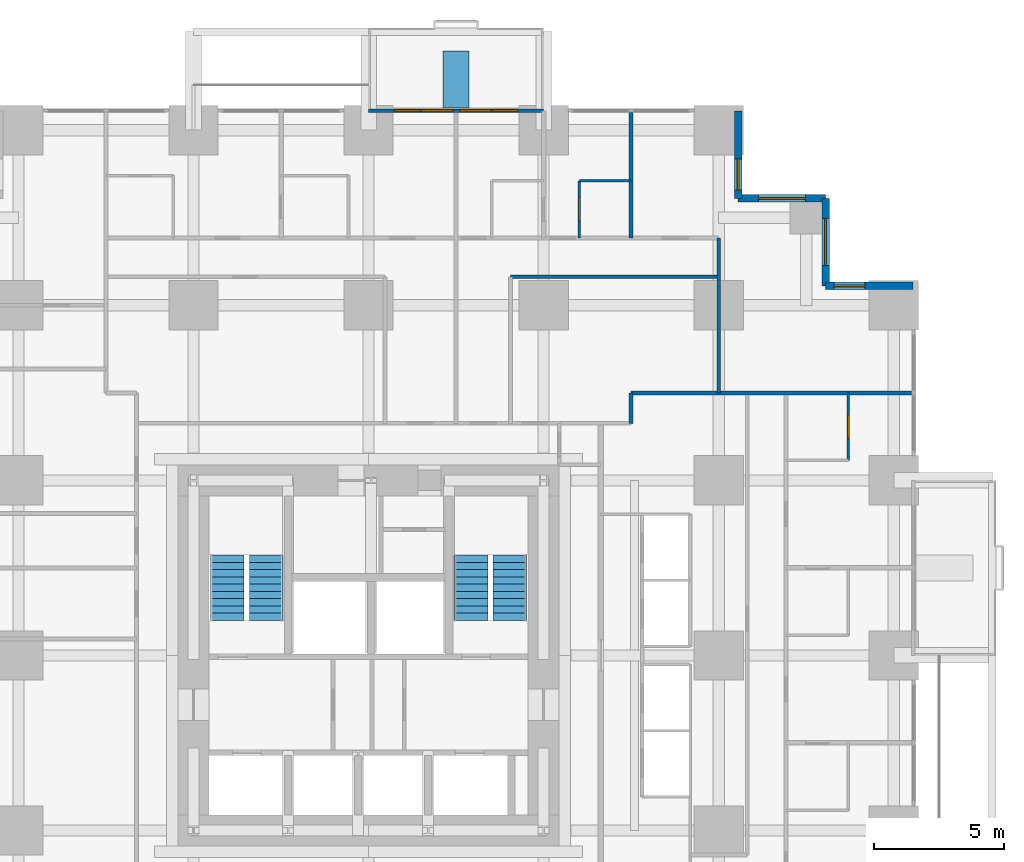
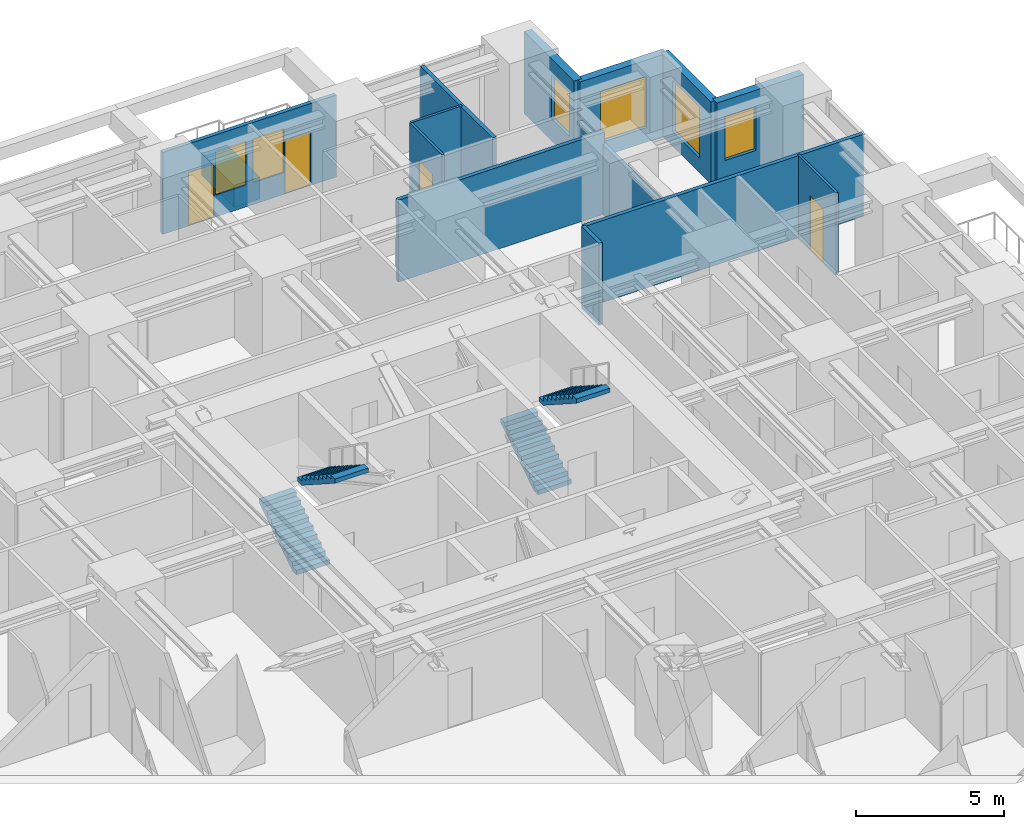
# One storey, part 13 of 14: 14 walls, 6 windows, 4 doors, 4 stair flights, 10 openings, 2 elements without a shape of their own.
"""IFC4 building model written with IfcOpenShell, lengths in metres."""

from ifc_helpers import new_model, si_unit, direction, frame, frame_2d, origin, place, context, subcontext, project, spatial, polyline, rectangle, outline, extrude, material, layer, layer_set, type_object, element, fill, aggregate, save


model = new_model("IFC4")

# Units and contexts
model_context = context("Model", 3, precision=1e-05, world=origin(), true_north=direction((0.0, 1.0)))
body_context = subcontext(model_context, "Body", "Model", "MODEL_VIEW")
ifc_project = project(units=[si_unit("LENGTHUNIT", "METRE"), si_unit("AREAUNIT", "SQUARE_METRE"), si_unit("VOLUMEUNIT", "CUBIC_METRE"), si_unit("PLANEANGLEUNIT", "RADIAN"), si_unit("MASSUNIT", "GRAM", prefix="KILO")], contexts=[model_context])

# Site, building, storey
site_placement = place(None, origin())
site = spatial("IfcSite", under=ifc_project, at=site_placement, CompositionType="ELEMENT")
building_placement = place(site_placement, origin())
building = spatial("IfcBuilding", under=site, at=building_placement, Name="Nyansa Garden Tower", CompositionType="ELEMENT")
storey_placement = place(building_placement, frame((0.0, 0.0, 43.199951171875)))
storey = spatial("IfcBuildingStorey", under=building, at=storey_placement, Name="L11", CompositionType="ELEMENT", Elevation=43.199951171875)

# Wall, openings, doors, windows
ifc_material_1 = material(Name="Black aluminium framed glazed screen", Category="aluminium")
ifc_layer_1 = layer(ifc_material_1, 0.14990234375)
ifc_layer_set_1 = layer_set([ifc_layer_1], Name="Balcony screen wall BW150")
wall_type_1 = type_object("IfcWallType", Name="Balcony screen wall BW150", PredefinedType="SOLIDWALL", material=ifc_layer_set_1)
wall_1_placement = place(storey_placement, frame((20.25, 41.25, 0.0), z_axis=(0.0, 0.0, 1.0), x_axis=(1.0, 0.0, 0.0)))
wall_1 = element("IfcWall", 1, at=wall_1_placement, inside=storey, type_object=wall_type_1, Name="Glazed screen wall L11 N", PredefinedType="SOLIDWALL", context=body_context, shape_type="SweptSolid", body=[
    extrude(rectangle(XDim=6.75, YDim=0.14990234375, at=frame_2d((3.375, 0.0))), origin(), (0.0, 0.0, 1.0), 3.375),
])
opening_1_placement = place(wall_1_placement, frame((0.995849609375, 0.0, 0.0)))
opening_1 = element("IfcOpeningElement", 2, at=opening_1_placement, cuts=wall_1, Name="Opening D20", PredefinedType="OPENING", context=body_context, shape_type="SweptSolid", body=[
    extrude(rectangle(XDim=1.0, YDim=2.199951171875, at=frame_2d((0.5, 1.10009765625))), frame((0.0, 0.0849609375, 0.0), z_axis=(0.0, -1.0, 0.0), x_axis=(1.0, 0.0, 0.0)), (0.0, 0.0, 1.0), 0.169921875),
])
opening_2_placement = place(wall_1_placement, frame((2.041748046875, 0.0, 0.89990234375)))
opening_2 = element("IfcOpeningElement", 3, at=opening_2_placement, cuts=wall_1, Name="Opening W6", PredefinedType="OPENING", context=body_context, shape_type="SweptSolid", body=[
    extrude(rectangle(XDim=1.199951171875, YDim=1.800048828125, at=frame_2d((0.60009765625, 0.89990234375))), frame((0.0, 0.0849609375, 0.0), z_axis=(0.0, -1.0, 0.0), x_axis=(1.0, 0.0, 0.0)), (0.0, 0.0, 1.0), 0.169921875),
])
opening_3_placement = place(wall_1_placement, frame((4.754150390625, 0.0, 0.0)))
opening_3 = element("IfcOpeningElement", 4, at=opening_3_placement, cuts=wall_1, Name="Opening D20", PredefinedType="OPENING", context=body_context, shape_type="SweptSolid", body=[
    extrude(rectangle(XDim=1.0, YDim=2.199951171875, at=frame_2d((0.5, 1.10009765625))), frame((0.0, 0.0849609375, 0.0), z_axis=(0.0, -1.0, 0.0), x_axis=(1.0, 0.0, 0.0)), (0.0, 0.0, 1.0), 0.169921875),
])
opening_4_placement = place(wall_1_placement, frame((3.50830078125, 0.0, 0.89990234375)))
opening_4 = element("IfcOpeningElement", 5, at=opening_4_placement, cuts=wall_1, Name="Opening W6", PredefinedType="OPENING", context=body_context, shape_type="SweptSolid", body=[
    extrude(rectangle(XDim=1.199951171875, YDim=1.800048828125, at=frame_2d((0.60009765625, 0.89990234375))), frame((0.0, 0.0849609375, 0.0), z_axis=(0.0, -1.0, 0.0), x_axis=(1.0, 0.0, 0.0)), (0.0, 0.0, 1.0), 0.169921875),
])
ifc_material_2 = material(Name="Black aluminium framed glazed door", Category="aluminium")
door_type_1 = type_object("IfcDoorType", Name="Balcony door D20 1000x2200", OperationType="NOTDEFINED", PredefinedType="DOOR", material=ifc_material_2)
door_1_placement = place(opening_1_placement, origin())
door_1 = element("IfcDoor", 6, at=door_1_placement, inside=storey, type_object=door_type_1, Name="Balcony door L11", OperationType="SINGLE_SWING_LEFT", OverallHeight=2.199951171875, OverallWidth=1.0, PredefinedType="DOOR", context=body_context, shape_type="SweptSolid", body=[
    extrude(rectangle(XDim=1.0, YDim=2.199951171875, at=frame_2d((0.5, 1.10009765625))), frame((0.0, 0.02490234375, 0.0), z_axis=(0.0, -1.0, 0.0), x_axis=(1.0, 0.0, 0.0)), (0.0, 0.0, 1.0), 0.050048828125),
])
fill(opening_1, door_1)
door_2_placement = place(opening_3_placement, origin())
door_2 = element("IfcDoor", 7, at=door_2_placement, inside=storey, type_object=door_type_1, Name="Balcony door L11", OperationType="SINGLE_SWING_RIGHT", OverallHeight=2.199951171875, OverallWidth=1.0, PredefinedType="DOOR", context=body_context, shape_type="SweptSolid", body=[
    extrude(rectangle(XDim=1.0, YDim=2.199951171875, at=frame_2d((0.5, 1.10009765625))), frame((0.0, 0.02490234375, 0.0), z_axis=(0.0, -1.0, 0.0), x_axis=(1.0, 0.0, 0.0)), (0.0, 0.0, 1.0), 0.050048828125),
])
fill(opening_3, door_2)
ifc_material_3 = material(Name="Black aluminium frame, dark tinted double glazing", Category="aluminium")
window_type_1 = type_object("IfcWindowType", Name="Balcony window W6 1200x1800", PartitioningType="SINGLE_PANEL", PredefinedType="WINDOW", material=ifc_material_3)
window_1_placement = place(opening_2_placement, origin())
window_1 = element("IfcWindow", 8, at=window_1_placement, inside=storey, type_object=window_type_1, Name="Window L11", OverallHeight=1.800048828125, OverallWidth=1.199951171875, PartitioningType="SINGLE_PANEL", PredefinedType="WINDOW", context=body_context, shape_type="SweptSolid", body=[
    extrude(rectangle(XDim=1.199951171875, YDim=1.800048828125, at=frame_2d((0.60009765625, 0.89990234375))), frame((0.0, 0.030029296875, 0.0), z_axis=(0.0, -1.0, 0.0), x_axis=(1.0, 0.0, 0.0)), (0.0, 0.0, 1.0), 0.06005859375),
])
fill(opening_2, window_1)
window_2_placement = place(opening_4_placement, origin())
window_2 = element("IfcWindow", 9, at=window_2_placement, inside=storey, type_object=window_type_1, Name="Window L11", OverallHeight=1.800048828125, OverallWidth=1.199951171875, PartitioningType="SINGLE_PANEL", PredefinedType="WINDOW", context=body_context, shape_type="SweptSolid", body=[
    extrude(rectangle(XDim=1.199951171875, YDim=1.800048828125, at=frame_2d((0.60009765625, 0.89990234375))), frame((0.0, 0.030029296875, 0.0), z_axis=(0.0, -1.0, 0.0), x_axis=(1.0, 0.0, 0.0)), (0.0, 0.0, 1.0), 0.06005859375),
])
fill(opening_4, window_2)

# Walls
ifc_material_4 = material(Name="Blockwork, plastered both sides", Category="masonry")
ifc_layer_2 = layer(ifc_material_4, 0.14990234375)
ifc_layer_set_2 = layer_set([ifc_layer_2], Name="Partition PW150")
wall_type_2 = type_object("IfcWallType", Name="Partition PW150", PredefinedType="PARTITIONING", material=ifc_layer_set_2)
wall_2_placement = place(storey_placement, frame((25.72509765625, 34.85009765625, 0.0), z_axis=(0.0, 0.0, 1.0), x_axis=(1.0, 0.0, 0.0)))
element("IfcWall", 10, at=wall_2_placement, inside=storey, type_object=wall_type_2, Name="Partition", PredefinedType="PARTITIONING", context=body_context, shape_type="SweptSolid", body=[
    extrude(rectangle(XDim=8.02490234375, YDim=0.14990234375, at=frame_2d((4.012451171875, 0.0))), origin(), (0.0, 0.0, 1.0), 3.375),
])
wall_3_placement = place(storey_placement, frame((30.375, 29.199951171875, 0.0), z_axis=(0.0, 0.0, 1.0), x_axis=(0.0, 1.0, 0.0)))
element("IfcWall", 11, at=wall_3_placement, inside=storey, type_object=wall_type_2, Name="Partition", PredefinedType="PARTITIONING", context=body_context, shape_type="SweptSolid", body=[
    extrude(rectangle(XDim=1.175048828125, YDim=0.14990234375, at=frame_2d((0.58740234375, 0.0))), origin(), (0.0, 0.0, 1.0), 3.375),
])
wall_4_placement = place(storey_placement, frame((30.375, 30.375, 0.0), z_axis=(0.0, 0.0, 1.0), x_axis=(1.0, 0.0, 0.0)))
element("IfcWall", 12, at=wall_4_placement, inside=storey, type_object=wall_type_2, Name="Partition", PredefinedType="PARTITIONING", context=body_context, shape_type="SweptSolid", body=[
    extrude(rectangle(XDim=10.85888671875, YDim=0.14990234375, at=frame_2d((5.429443359375, 0.0))), origin(), (0.0, 0.0, 1.0), 3.375),
])
wall_5_placement = place(storey_placement, frame((30.375, 36.35009765625, 0.0), z_axis=(0.0, 0.0, 1.0), x_axis=(0.0, 1.0, 0.0)))
element("IfcWall", 13, at=wall_5_placement, inside=storey, type_object=wall_type_2, Name="Partition", PredefinedType="PARTITIONING", context=body_context, shape_type="SweptSolid", body=[
    extrude(rectangle(XDim=4.8837890625, YDim=0.14990234375, at=frame_2d((2.44189453125, 0.0))), origin(), (0.0, 0.0, 1.0), 3.375),
])
wall_6_placement = place(storey_placement, frame((33.75, 30.375, 0.0), z_axis=(0.0, 0.0, 1.0), x_axis=(0.0, 1.0, 0.0)))
element("IfcWall", 14, at=wall_6_placement, inside=storey, type_object=wall_type_2, Name="Partition", PredefinedType="PARTITIONING", context=body_context, shape_type="SweptSolid", body=[
    extrude(rectangle(XDim=5.97509765625, YDim=0.14990234375, at=frame_2d((2.987548828125, 0.0))), origin(), (0.0, 0.0, 1.0), 2.876953125),
])

# Wall, opening, window
ifc_material_5 = material(Name="Turquoise glazed tile on concrete blockwork", Category="masonry")
ifc_layer_3 = layer(ifc_material_5, 0.300048828125)
ifc_layer_set_3 = layer_set([ifc_layer_3], Name="Tiled corner wall TW300")
wall_type_3 = type_object("IfcWallType", Name="Tiled corner wall TW300", PredefinedType="SOLIDWALL", material=ifc_layer_set_3)
wall_7_placement = place(storey_placement, frame((41.25, 34.5, 0.0), z_axis=(0.0, 0.0, 1.0), x_axis=(-1.0, 0.0, 0.0)))
wall_7 = element("IfcWall", 15, at=wall_7_placement, inside=storey, type_object=wall_type_3, Name="Tiled corner wall L11", PredefinedType="SOLIDWALL", context=body_context, shape_type="SweptSolid", body=[
    extrude(rectangle(XDim=3.375, YDim=0.300048828125, at=frame_2d((1.6875, 0.0))), origin(), (0.0, 0.0, 1.0), 3.375),
])
opening_5_placement = place(wall_7_placement, frame((1.857421875, 0.0, 0.89990234375)))
opening_5 = element("IfcOpeningElement", 16, at=opening_5_placement, cuts=wall_7, Name="Opening W4", PredefinedType="OPENING", context=body_context, shape_type="SweptSolid", body=[
    extrude(rectangle(XDim=1.199951171875, YDim=1.800048828125, at=frame_2d((0.60009765625, 0.89990234375))), frame((0.0, 0.159912109375, 0.0), z_axis=(0.0, -1.0, 0.0), x_axis=(1.0, 0.0, 0.0)), (0.0, 0.0, 1.0), 0.320068359375),
])
ifc_material_6 = material(Name="Black aluminium frame, dark tinted double glazing", Category="aluminium")
window_type_2 = type_object("IfcWindowType", Name="Window W4 1200x1800", PartitioningType="SINGLE_PANEL", PredefinedType="WINDOW", material=ifc_material_6)
window_3_placement = place(opening_5_placement, origin())
window_3 = element("IfcWindow", 17, at=window_3_placement, inside=storey, type_object=window_type_2, Name="Corner window L11", OverallHeight=1.800048828125, OverallWidth=1.199951171875, PartitioningType="SINGLE_PANEL", PredefinedType="WINDOW", context=body_context, shape_type="SweptSolid", body=[
    extrude(rectangle(XDim=1.199951171875, YDim=1.800048828125, at=frame_2d((0.60009765625, 0.89990234375))), frame((0.0, 0.030029296875, 0.0), z_axis=(0.0, -1.0, 0.0), x_axis=(1.0, 0.0, 0.0)), (0.0, 0.0, 1.0), 0.06005859375),
])
fill(opening_5, window_3)

wall_8_placement = place(storey_placement, frame((37.875, 34.5, 0.0), z_axis=(0.0, 0.0, 1.0), x_axis=(0.0, 1.0, 0.0)))
wall_8 = element("IfcWall", 18, at=wall_8_placement, inside=storey, type_object=wall_type_3, Name="Tiled corner wall L11", PredefinedType="SOLIDWALL", context=body_context, shape_type="SweptSolid", body=[
    extrude(rectangle(XDim=3.375, YDim=0.300048828125, at=frame_2d((1.6875, 0.0))), origin(), (0.0, 0.0, 1.0), 3.375),
])
opening_6_placement = place(wall_8_placement, frame((0.78759765625, 0.0, 0.60009765625)))
opening_6 = element("IfcOpeningElement", 19, at=opening_6_placement, cuts=wall_8, Name="Opening W2", PredefinedType="OPENING", context=body_context, shape_type="SweptSolid", body=[
    extrude(rectangle(XDim=1.800048828125, YDim=2.10009765625, at=frame_2d((0.89990234375, 1.050048828125))), frame((0.0, 0.159912109375, 0.0), z_axis=(0.0, -1.0, 0.0), x_axis=(1.0, 0.0, 0.0)), (0.0, 0.0, 1.0), 0.320068359375),
])
ifc_material_7 = material(Name="Black aluminium frame, dark tinted double glazing", Category="aluminium")
window_type_3 = type_object("IfcWindowType", Name="Window W2 1800x2100", PartitioningType="SINGLE_PANEL", PredefinedType="WINDOW", material=ifc_material_7)
window_4_placement = place(opening_6_placement, origin())
window_4 = element("IfcWindow", 20, at=window_4_placement, inside=storey, type_object=window_type_3, Name="Corner window L11", OverallHeight=2.10009765625, OverallWidth=1.800048828125, PartitioningType="SINGLE_PANEL", PredefinedType="WINDOW", context=body_context, shape_type="SweptSolid", body=[
    extrude(rectangle(XDim=1.800048828125, YDim=2.10009765625, at=frame_2d((0.89990234375, 1.050048828125))), frame((0.0, 0.030029296875, 0.0), z_axis=(0.0, -1.0, 0.0), x_axis=(1.0, 0.0, 0.0)), (0.0, 0.0, 1.0), 0.06005859375),
])
fill(opening_6, window_4)

wall_9_placement = place(storey_placement, frame((37.875, 37.875, 0.0), z_axis=(0.0, 0.0, 1.0), x_axis=(-1.0, 0.0, 0.0)))
wall_9 = element("IfcWall", 21, at=wall_9_placement, inside=storey, type_object=wall_type_3, Name="Tiled corner wall L11", PredefinedType="SOLIDWALL", context=body_context, shape_type="SweptSolid", body=[
    extrude(rectangle(XDim=3.375, YDim=0.300048828125, at=frame_2d((1.6875, 0.0))), origin(), (0.0, 0.0, 1.0), 3.375),
])
opening_7_placement = place(wall_9_placement, frame((0.78759765625, 0.0, 0.60009765625)))
opening_7 = element("IfcOpeningElement", 22, at=opening_7_placement, cuts=wall_9, Name="Opening W2", PredefinedType="OPENING", context=body_context, shape_type="SweptSolid", body=[
    extrude(rectangle(XDim=1.800048828125, YDim=2.10009765625, at=frame_2d((0.89990234375, 1.050048828125))), frame((0.0, 0.159912109375, 0.0), z_axis=(0.0, -1.0, 0.0), x_axis=(1.0, 0.0, 0.0)), (0.0, 0.0, 1.0), 0.320068359375),
])
window_5_placement = place(opening_7_placement, origin())
window_5 = element("IfcWindow", 23, at=window_5_placement, inside=storey, type_object=window_type_3, Name="Corner window L11", OverallHeight=2.10009765625, OverallWidth=1.800048828125, PartitioningType="SINGLE_PANEL", PredefinedType="WINDOW", context=body_context, shape_type="SweptSolid", body=[
    extrude(rectangle(XDim=1.800048828125, YDim=2.10009765625, at=frame_2d((0.89990234375, 1.050048828125))), frame((0.0, 0.030029296875, 0.0), z_axis=(0.0, -1.0, 0.0), x_axis=(1.0, 0.0, 0.0)), (0.0, 0.0, 1.0), 0.06005859375),
])
fill(opening_7, window_5)

wall_10_placement = place(storey_placement, frame((34.5, 37.875, 0.0), z_axis=(0.0, 0.0, 1.0), x_axis=(0.0, 1.0, 0.0)))
wall_10 = element("IfcWall", 24, at=wall_10_placement, inside=storey, type_object=wall_type_3, Name="Tiled corner wall L11", PredefinedType="SOLIDWALL", context=body_context, shape_type="SweptSolid", body=[
    extrude(rectangle(XDim=3.375, YDim=0.300048828125, at=frame_2d((1.6875, 0.0))), origin(), (0.0, 0.0, 1.0), 3.375),
])
opening_8_placement = place(wall_10_placement, frame((0.3173828125, 0.0, 0.89990234375)))
opening_8 = element("IfcOpeningElement", 25, at=opening_8_placement, cuts=wall_10, Name="Opening W4", PredefinedType="OPENING", context=body_context, shape_type="SweptSolid", body=[
    extrude(rectangle(XDim=1.199951171875, YDim=1.800048828125, at=frame_2d((0.60009765625, 0.89990234375))), frame((0.0, 0.159912109375, 0.0), z_axis=(0.0, -1.0, 0.0), x_axis=(1.0, 0.0, 0.0)), (0.0, 0.0, 1.0), 0.320068359375),
])
window_6_placement = place(opening_8_placement, origin())
window_6 = element("IfcWindow", 26, at=window_6_placement, inside=storey, type_object=window_type_2, Name="Corner window L11", OverallHeight=1.800048828125, OverallWidth=1.199951171875, PartitioningType="SINGLE_PANEL", PredefinedType="WINDOW", context=body_context, shape_type="SweptSolid", body=[
    extrude(rectangle(XDim=1.199951171875, YDim=1.800048828125, at=frame_2d((0.60009765625, 0.89990234375))), frame((0.0, 0.030029296875, 0.0), z_axis=(0.0, -1.0, 0.0), x_axis=(1.0, 0.0, 0.0)), (0.0, 0.0, 1.0), 0.06005859375),
])
fill(opening_8, window_6)

# Wall
ifc_material_8 = material(Name="Concrete C40/50 planter, waterproofed", Category="concrete")
ifc_layer_4 = layer(ifc_material_8, 1.0)
ifc_layer_set_4 = layer_set([ifc_layer_4], Name="Tree planter TP1")
wall_type_4 = type_object("IfcWallType", Name="Tree planter TP1", PredefinedType="USERDEFINED", material=ifc_layer_set_4)
wall_11_placement = place(storey_placement, frame((23.625, 41.35009765625, 0.0), z_axis=(0.0, 0.0, 1.0), x_axis=(0.0, 1.0, 0.0)))
element("IfcWall", 27, at=wall_11_placement, inside=storey, type_object=wall_type_4, Name="Tree planter L11", ObjectType="TREE PLANTER", PredefinedType="USERDEFINED", context=body_context, shape_type="SweptSolid", body=[
    extrude(rectangle(XDim=2.199951171875, YDim=1.0, at=frame_2d((1.10009765625, 0.0))), origin(), (0.0, 0.0, 1.0), 0.900146484375),
])

# Wall, opening, door
ifc_material_9 = material(Name="Moisture resistant board on steel studs, tiled", Category="steel")
ifc_layer_5 = layer(ifc_material_9, 0.10009765625)
ifc_layer_set_5 = layer_set([ifc_layer_5], Name="Wet wall PW100")
wall_type_5 = type_object("IfcWallType", Name="Wet wall PW100", PredefinedType="PARTITIONING", material=ifc_layer_set_5)
wall_12_placement = place(storey_placement, frame((28.375, 36.35009765625, 0.0), z_axis=(0.0, 0.0, 1.0), x_axis=(0.0, 1.0, 0.0)))
wall_12 = element("IfcWall", 28, at=wall_12_placement, inside=storey, type_object=wall_type_5, Name="Wet wall", PredefinedType="PARTITIONING", context=body_context, shape_type="SweptSolid", body=[
    extrude(rectangle(XDim=2.199951171875, YDim=0.10009765625, at=frame_2d((1.10009765625, 0.0))), origin(), (0.0, 0.0, 1.0), 3.375),
])
opening_9_placement = place(wall_12_placement, frame((0.64990234375, 0.0, 0.0)))
opening_9 = element("IfcOpeningElement", 29, at=opening_9_placement, cuts=wall_12, Name="Opening D02", PredefinedType="OPENING", context=body_context, shape_type="SweptSolid", body=[
    extrude(rectangle(XDim=0.89990234375, YDim=2.199951171875, at=frame_2d((0.449951171875, 1.10009765625))), frame((0.0, 0.06005859375, 0.0), z_axis=(0.0, -1.0, 0.0), x_axis=(1.0, 0.0, 0.0)), (0.0, 0.0, 1.0), 0.1201171875),
])
ifc_material_10 = material(Name="Timber flush door", Category="wood")
door_type_2 = type_object("IfcDoorType", Name="En-suite door D02 900x2200", OperationType="SINGLE_SWING_RIGHT", PredefinedType="DOOR", material=ifc_material_10)
door_3_placement = place(opening_9_placement, origin())
door_3 = element("IfcDoor", 30, at=door_3_placement, inside=storey, type_object=door_type_2, Name="Door L11-050", OperationType="SINGLE_SWING_RIGHT", OverallHeight=2.199951171875, OverallWidth=0.89990234375, PredefinedType="DOOR", context=body_context, shape_type="SweptSolid", body=[
    extrude(rectangle(XDim=0.89990234375, YDim=2.199951171875, at=frame_2d((0.449951171875, 1.10009765625))), frame((0.0, 0.02490234375, 0.0), z_axis=(0.0, -1.0, 0.0), x_axis=(1.0, 0.0, 0.0)), (0.0, 0.0, 1.0), 0.050048828125),
])
fill(opening_9, door_3)

# Wall
wall_13_placement = place(storey_placement, frame((28.375, 38.550048828125, 0.0), z_axis=(0.0, 0.0, 1.0), x_axis=(1.0, 0.0, 0.0)))
element("IfcWall", 31, at=wall_13_placement, inside=storey, type_object=wall_type_5, Name="Wet wall", PredefinedType="PARTITIONING", context=body_context, shape_type="SweptSolid", body=[
    extrude(rectangle(XDim=2.0, YDim=0.10009765625, at=frame_2d((1.0, 0.0))), origin(), (0.0, 0.0, 1.0), 3.375),
])

# Wall, opening, door
wall_14_placement = place(storey_placement, frame((38.75, 27.77490234375, 0.0), z_axis=(0.0, 0.0, 1.0), x_axis=(0.0, 1.0, 0.0)))
wall_14 = element("IfcWall", 32, at=wall_14_placement, inside=storey, type_object=wall_type_5, Name="Wet wall", PredefinedType="PARTITIONING", context=body_context, shape_type="SweptSolid", body=[
    extrude(rectangle(XDim=2.60009765625, YDim=0.10009765625, at=frame_2d((1.300048828125, 0.0))), origin(), (0.0, 0.0, 1.0), 3.375),
])
opening_10_placement = place(wall_14_placement, frame((0.85009765625, 0.0, 0.0)))
opening_10 = element("IfcOpeningElement", 33, at=opening_10_placement, cuts=wall_14, Name="Opening D02", PredefinedType="OPENING", context=body_context, shape_type="SweptSolid", body=[
    extrude(rectangle(XDim=0.89990234375, YDim=2.199951171875, at=frame_2d((0.449951171875, 1.10009765625))), frame((0.0, 0.06005859375, 0.0), z_axis=(0.0, -1.0, 0.0), x_axis=(1.0, 0.0, 0.0)), (0.0, 0.0, 1.0), 0.1201171875),
])
door_4_placement = place(opening_10_placement, origin())
door_4 = element("IfcDoor", 34, at=door_4_placement, inside=storey, type_object=door_type_2, Name="Door L11-041", OperationType="SINGLE_SWING_RIGHT", OverallHeight=2.199951171875, OverallWidth=0.89990234375, PredefinedType="DOOR", context=body_context, shape_type="SweptSolid", body=[
    extrude(rectangle(XDim=0.89990234375, YDim=2.199951171875, at=frame_2d((0.449951171875, 1.10009765625))), frame((0.0, 0.02490234375, 0.0), z_axis=(0.0, -1.0, 0.0), x_axis=(1.0, 0.0, 0.0)), (0.0, 0.0, 1.0), 0.050048828125),
])
fill(opening_10, door_4)

# Stair, stair flights
ifc_material_11 = material(Name="Precast concrete C40/50", Category="concrete")
stair_type_1 = type_object("IfcStairType", Name="Stair S1 180x280", PredefinedType="HALF_TURN_STAIR", material=ifc_material_11)
stair_1_placement = place(storey_placement, origin())
stair_1 = element("IfcStair", 35, at=stair_1_placement, inside=storey, type_object=stair_type_1, Name="Stair S1 L11", PredefinedType="HALF_TURN_STAIR")
ifc_material_12 = material(Name="Precast concrete C40/50", Category="concrete")
stair_flight_type_1 = type_object("IfcStairFlightType", Name="Stair flight S1 180x280x10", PredefinedType="STRAIGHT", material=ifc_material_12)
stair_flight_1_placement = place(storey_placement, frame((14.800048828125, 21.60009765625, 0.0), z_axis=(0.0, 0.0, 1.0), x_axis=(0.0, 1.0, 0.0)))
stair_flight_1 = element("IfcStairFlight", 36, at=stair_flight_1_placement, type_object=stair_flight_type_1, Name="S1 flight 1", NumberOfRisers=10, NumberOfTreads=9, PredefinedType="STRAIGHT", RiserHeight=0.18, TreadLength=0.28, context=body_context, shape_type="SweptSolid", body=[
    extrude(outline(polyline([(0.0, 0.0), (0.0, 0.179931640625), (0.280029296875, 0.179931640625), (0.280029296875, 0.360107421875), (0.56005859375, 0.360107421875), (0.56005859375, 0.5400390625), (0.840087890625, 0.5400390625), (0.840087890625, 0.719970703125), (1.1201171875, 0.719970703125), (1.1201171875, 0.89990234375), (1.39990234375, 0.89990234375), (1.39990234375, 1.080078125), (1.679931640625, 1.080078125), (1.679931640625, 1.260009765625), (1.9599609375, 1.260009765625), (1.9599609375, 1.43994140625), (2.239990234375, 1.43994140625), (2.239990234375, 1.6201171875), (2.52001953125, 1.6201171875), (2.52001953125, 1.800048828125), (2.52001953125, 1.44189453125), (0.277099609375, 0.0), (0.0, 0.0)])), frame((0.0, 0.64990234375, 0.0), z_axis=(0.0, -1.0, 0.0), x_axis=(1.0, 0.0, 0.0)), (0.0, 0.0, 1.0), 1.300048828125),
])
stair_flight_2_placement = place(storey_placement, frame((16.300048828125, 24.1201171875, 1.800048828125), z_axis=(0.0, 0.0, 1.0), x_axis=(0.0, -1.0, 0.0)))
stair_flight_2 = element("IfcStairFlight", 37, at=stair_flight_2_placement, type_object=stair_flight_type_1, Name="S1 flight 2", NumberOfRisers=10, NumberOfTreads=9, PredefinedType="STRAIGHT", RiserHeight=0.18, TreadLength=0.28, context=body_context, shape_type="SweptSolid", body=[
    extrude(outline(polyline([(0.0, 0.0), (0.0, 0.179931640625), (0.280029296875, 0.179931640625), (0.280029296875, 0.360107421875), (0.56005859375, 0.360107421875), (0.56005859375, 0.5400390625), (0.840087890625, 0.5400390625), (0.840087890625, 0.719970703125), (1.1201171875, 0.719970703125), (1.1201171875, 0.89990234375), (1.39990234375, 0.89990234375), (1.39990234375, 1.080078125), (1.679931640625, 1.080078125), (1.679931640625, 1.260009765625), (1.9599609375, 1.260009765625), (1.9599609375, 1.43994140625), (2.239990234375, 1.43994140625), (2.239990234375, 1.6201171875), (2.52001953125, 1.6201171875), (2.52001953125, 1.800048828125), (2.52001953125, 1.44189453125), (0.277099609375, 0.0), (0.0, 0.0)])), frame((0.0, 0.64990234375, 0.0), z_axis=(0.0, -1.0, 0.0), x_axis=(1.0, 0.0, 0.0)), (0.0, 0.0, 1.0), 1.300048828125),
])
aggregate(stair_1, [stair_flight_1, stair_flight_2])

ifc_material_13 = material(Name="Precast concrete C40/50", Category="concrete")
stair_type_2 = type_object("IfcStairType", Name="Stair S2 180x280", PredefinedType="HALF_TURN_STAIR", material=ifc_material_13)
stair_2_placement = place(storey_placement, origin())
stair_2 = element("IfcStair", 38, at=stair_2_placement, inside=storey, type_object=stair_type_2, Name="Stair S2 L11", PredefinedType="HALF_TURN_STAIR")
ifc_material_14 = material(Name="Precast concrete C40/50", Category="concrete")
stair_flight_type_2 = type_object("IfcStairFlightType", Name="Stair flight S2 180x280x10", PredefinedType="STRAIGHT", material=ifc_material_14)
stair_flight_3_placement = place(storey_placement, frame((24.199951171875, 21.60009765625, 0.0), z_axis=(0.0, 0.0, 1.0), x_axis=(0.0, 1.0, 0.0)))
stair_flight_3 = element("IfcStairFlight", 39, at=stair_flight_3_placement, type_object=stair_flight_type_2, Name="S2 flight 1", NumberOfRisers=10, NumberOfTreads=9, PredefinedType="STRAIGHT", RiserHeight=0.18, TreadLength=0.28, context=body_context, shape_type="SweptSolid", body=[
    extrude(outline(polyline([(0.0, 0.0), (0.0, 0.179931640625), (0.280029296875, 0.179931640625), (0.280029296875, 0.360107421875), (0.56005859375, 0.360107421875), (0.56005859375, 0.5400390625), (0.840087890625, 0.5400390625), (0.840087890625, 0.719970703125), (1.1201171875, 0.719970703125), (1.1201171875, 0.89990234375), (1.39990234375, 0.89990234375), (1.39990234375, 1.080078125), (1.679931640625, 1.080078125), (1.679931640625, 1.260009765625), (1.9599609375, 1.260009765625), (1.9599609375, 1.43994140625), (2.239990234375, 1.43994140625), (2.239990234375, 1.6201171875), (2.52001953125, 1.6201171875), (2.52001953125, 1.800048828125), (2.52001953125, 1.44189453125), (0.277099609375, 0.0), (0.0, 0.0)])), frame((0.0, 0.64990234375, 0.0), z_axis=(0.0, -1.0, 0.0), x_axis=(1.0, 0.0, 0.0)), (0.0, 0.0, 1.0), 1.300048828125),
])
stair_flight_4_placement = place(storey_placement, frame((25.699951171875, 24.1201171875, 1.800048828125), z_axis=(0.0, 0.0, 1.0), x_axis=(0.0, -1.0, 0.0)))
stair_flight_4 = element("IfcStairFlight", 40, at=stair_flight_4_placement, type_object=stair_flight_type_2, Name="S2 flight 2", NumberOfRisers=10, NumberOfTreads=9, PredefinedType="STRAIGHT", RiserHeight=0.18, TreadLength=0.28, context=body_context, shape_type="SweptSolid", body=[
    extrude(outline(polyline([(0.0, 0.0), (0.0, 0.179931640625), (0.280029296875, 0.179931640625), (0.280029296875, 0.360107421875), (0.56005859375, 0.360107421875), (0.56005859375, 0.5400390625), (0.840087890625, 0.5400390625), (0.840087890625, 0.719970703125), (1.1201171875, 0.719970703125), (1.1201171875, 0.89990234375), (1.39990234375, 0.89990234375), (1.39990234375, 1.080078125), (1.679931640625, 1.080078125), (1.679931640625, 1.260009765625), (1.9599609375, 1.260009765625), (1.9599609375, 1.43994140625), (2.239990234375, 1.43994140625), (2.239990234375, 1.6201171875), (2.52001953125, 1.6201171875), (2.52001953125, 1.800048828125), (2.52001953125, 1.44189453125), (0.277099609375, 0.0), (0.0, 0.0)])), frame((0.0, 0.64990234375, 0.0), z_axis=(0.0, -1.0, 0.0), x_axis=(1.0, 0.0, 0.0)), (0.0, 0.0, 1.0), 1.300048828125),
])
aggregate(stair_2, [stair_flight_3, stair_flight_4])

save(model, "model.ifc")
